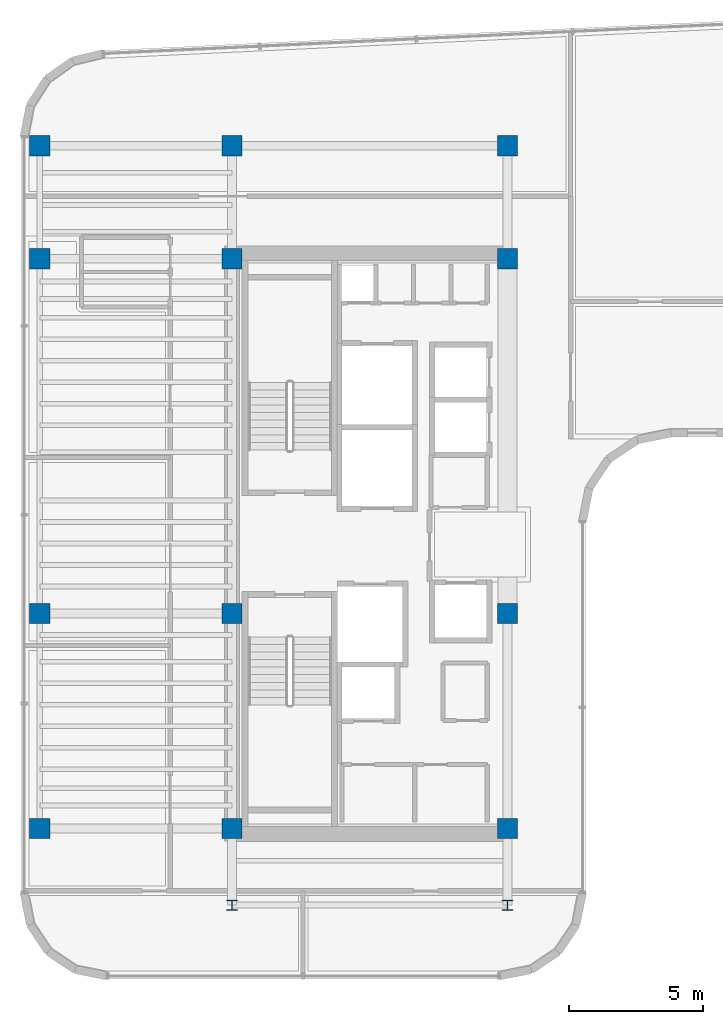
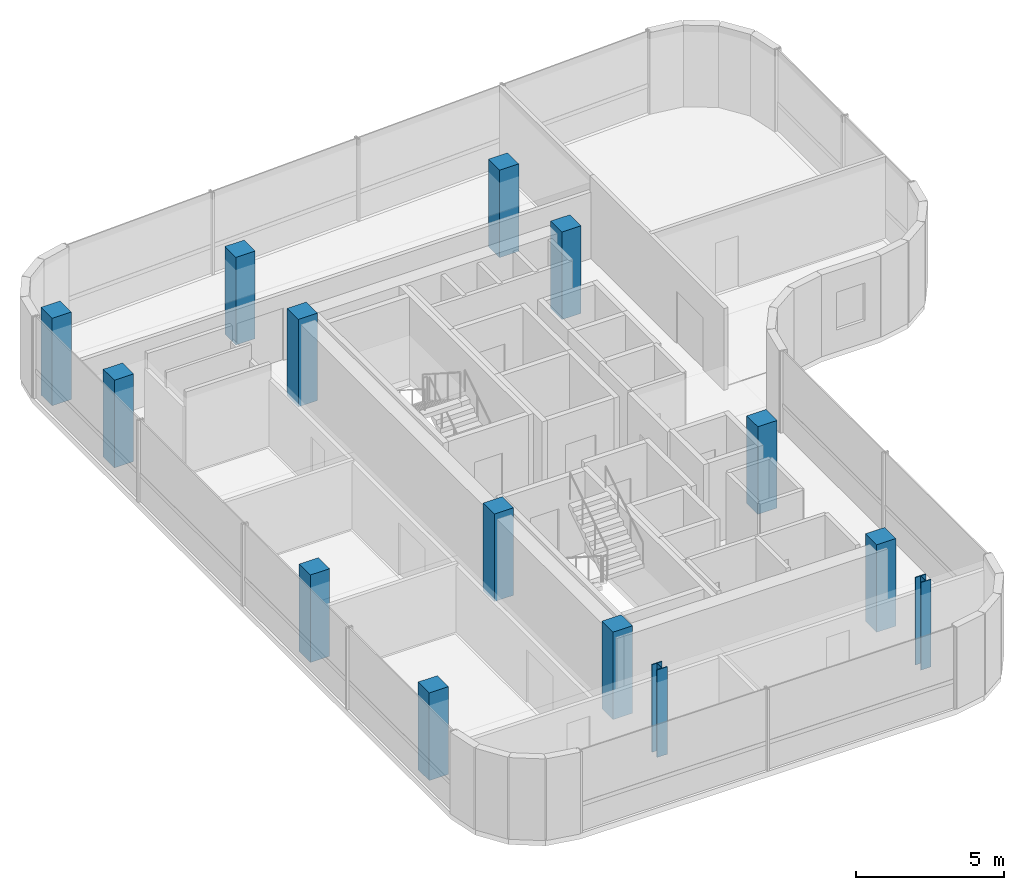
# One storey, part 1 of 17: 14 columns.
"""IFC4 building model written with IfcOpenShell, lengths in metres."""

from ifc_helpers import new_model, si_unit, direction, frame, origin, origin_2d, place, context, subcontext, project, spatial, rectangle, i_section, extrude, source, transform, mapped, material, material_profile, profile_set, type_object, element, save


model = new_model("IFC4")

# Units and contexts
model_context = context("Model", 3, precision=1e-05, world=origin(), true_north=direction((0.0, 1.0)))
body_context = subcontext(model_context, "Body", "Model", "MODEL_VIEW")
ifc_project = project(units=[si_unit("LENGTHUNIT", "METRE"), si_unit("AREAUNIT", "SQUARE_METRE"), si_unit("VOLUMEUNIT", "CUBIC_METRE"), si_unit("PLANEANGLEUNIT", "RADIAN"), si_unit("MASSUNIT", "GRAM", prefix="KILO")], contexts=[model_context])

# Site, building, storey
site_placement = place(None, origin())
site = spatial("IfcSite", under=ifc_project, at=site_placement, CompositionType="ELEMENT")
building_placement = place(site_placement, origin())
building = spatial("IfcBuilding", under=site, at=building_placement, Name="Valdorenza Pilgrim Sanctuary Tower", CompositionType="ELEMENT")
storey_placement = place(building_placement, frame((0.0, 0.0, 287.0)))
storey = spatial("IfcBuildingStorey", under=building, at=storey_placement, Name="L75", CompositionType="ELEMENT", Elevation=287.0)

# Columns
ifc_material_1 = material(Name="Concrete C50/60", Category="concrete")
ifc_material_profile_1 = material_profile(ifc_material_1, rectangle(XDim=0.75, YDim=0.75, at=origin_2d()), Name="RC 750x750")
ifc_profile_set_1 = profile_set([ifc_material_profile_1], Name="Concrete C50/60")
column_type_1 = type_object("IfcColumnType", Name="COL-CRW-750", PredefinedType="COLUMN", material=ifc_profile_set_1)
shared_shape_1 = source(origin(), body_context, "Body", "SweptSolid", [
    extrude(rectangle(XDim=0.75, YDim=0.75, at=origin_2d()), origin(), (0.0, 0.0, 1.0), 3.60009765625),
])
for number, where, z_axis, x_axis, name in (
    (1, (-29.800048828125, -10.60009765625, 0.0), (0.0, 0.0, 1.0), (1.0, 0.0, 0.0), "L75 Perimeter Column WA-W-S1"),
    (2, (-22.64990234375, -10.60009765625, 0.0), (0.0, 0.0, 1.0), (1.0, 0.0, 0.0), "L75 Column CA-W-S1"),
    (3, (-12.39990234375, -10.60009765625, 0.0), (0.0, 0.0, 1.0), (1.0, 0.0, 0.0), "L75 Column CA-E-S1"),
    (4, (-29.800048828125, -2.60009765625, 0.0), (0.0, 0.0, 1.0), (1.0, 0.0, 0.0), "L75 Perimeter Column WA-W-M0"),
    (5, (-22.64990234375, -2.60009765625, 0.0), (0.0, 0.0, 1.0), (1.0, 0.0, 0.0), "L75 Column CA-W-M0"),
    (6, (-12.39990234375, -2.60009765625, 0.0), (0.0, 0.0, 1.0), (1.0, 0.0, 0.0), "L75 Column CA-E-M0"),
    (7, (-29.800048828125, 10.60009765625, 0.0), (0.0, 0.0, 1.0), (1.0, 0.0, 0.0), "L75 Perimeter Column WA-W-N1"),
    (8, (-22.64990234375, 10.60009765625, 0.0), (0.0, 0.0, 1.0), (1.0, 0.0, 0.0), "L75 Column CA-W-N1"),
    (9, (-12.39990234375, 10.60009765625, 0.0), (0.0, 0.0, 1.0), (1.0, 0.0, 0.0), "L75 Column CA-E-N1"),
    (10, (-29.800048828125, 14.800048828125, 0.0), (0.0, 0.0, 1.0), (1.0, 0.0, 0.0), "L75 Perimeter Column WA-W-N2"),
    (11, (-22.64990234375, 14.800048828125, 0.0), (0.0, 0.0, 1.0), (1.0, 0.0, 0.0), "L75 Column CA-W-N2"),
    (12, (-12.39990234375, 14.800048828125, 0.0), (0.0, 0.0, 1.0), (1.0, 0.0, 0.0), "L75 Column CA-E-N2"),
):
    element("IfcColumn", number, at=place(storey_placement, frame(where, z_axis=z_axis, x_axis=x_axis)), inside=storey, type_object=column_type_1, Name=name, PredefinedType="COLUMN", context=body_context, shape_type="MappedRepresentation", body=[
        mapped(shared_shape_1, transform((0.0, 0.0, 0.0), x_axis=(1.0, 0.0, 0.0), y_axis=(0.0, 1.0, 0.0), z_axis=(0.0, 0.0, 1.0), scale=1.0)),
    ])
ifc_material_2 = material(Name="Steel ASTM A992 Grade 50", Category="steel")
ifc_material_profile_2 = material_profile(ifc_material_2, i_section(OverallWidth=0.39892578125, OverallDepth=0.386962890625, WebThickness=0.02099609375, FlangeThickness=0.033203125, at=origin_2d()), Name="W14X176")
ifc_profile_set_2 = profile_set([ifc_material_profile_2], Name="Steel ASTM A992 Grade 50")
column_type_2 = type_object("IfcColumnType", Name="COL-PIL-W176", PredefinedType="PILASTER", material=ifc_profile_set_2)
shared_shape_2 = source(origin(), body_context, "Body", "SweptSolid", [
    extrude(i_section(OverallWidth=0.39892578125, OverallDepth=0.386962890625, WebThickness=0.02099609375, FlangeThickness=0.033203125, at=origin_2d()), origin(), (0.0, 0.0, 1.0), 3.60009765625),
])
for number, where, z_axis, x_axis, name in (
    (13, (-22.64990234375, -13.449951171875, 0.0), (0.0, 0.0, 1.0), (1.0, 0.0, 0.0), "L75 Column WA-S-W"),
    (14, (-12.39990234375, -13.449951171875, 0.0), (0.0, 0.0, 1.0), (1.0, 0.0, 0.0), "L75 Column WA-S-E"),
):
    element("IfcColumn", number, at=place(storey_placement, frame(where, z_axis=z_axis, x_axis=x_axis)), inside=storey, type_object=column_type_2, Name=name, PredefinedType="PILASTER", context=body_context, shape_type="MappedRepresentation", body=[
        mapped(shared_shape_2, transform((0.0, 0.0, 0.0), x_axis=(1.0, 0.0, 0.0), y_axis=(0.0, 1.0, 0.0), z_axis=(0.0, 0.0, 1.0), scale=1.0)),
    ])

save(model, "model.ifc")
